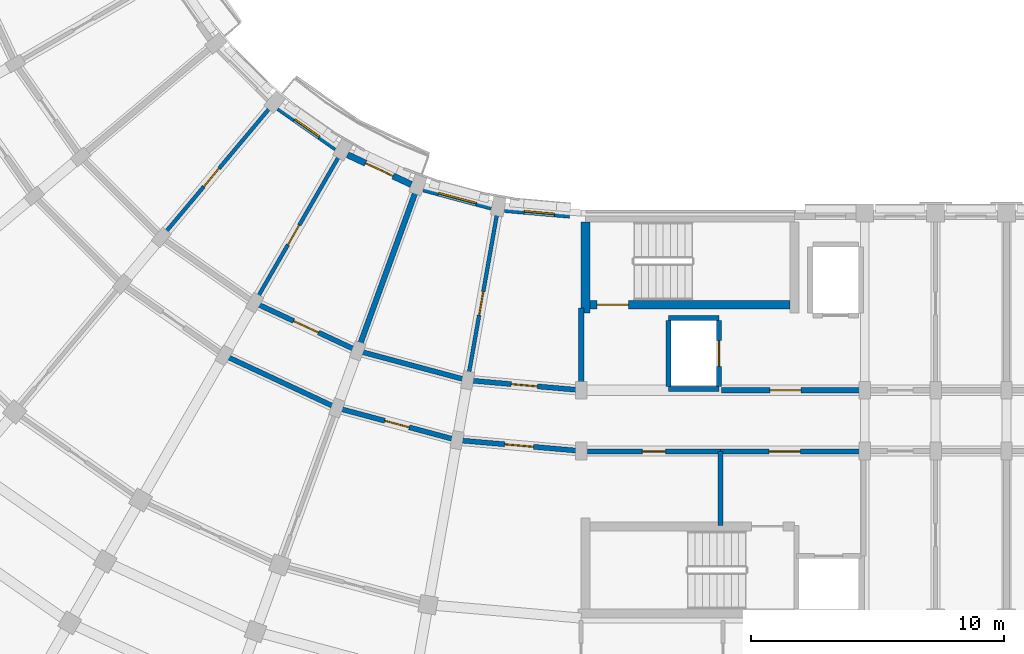
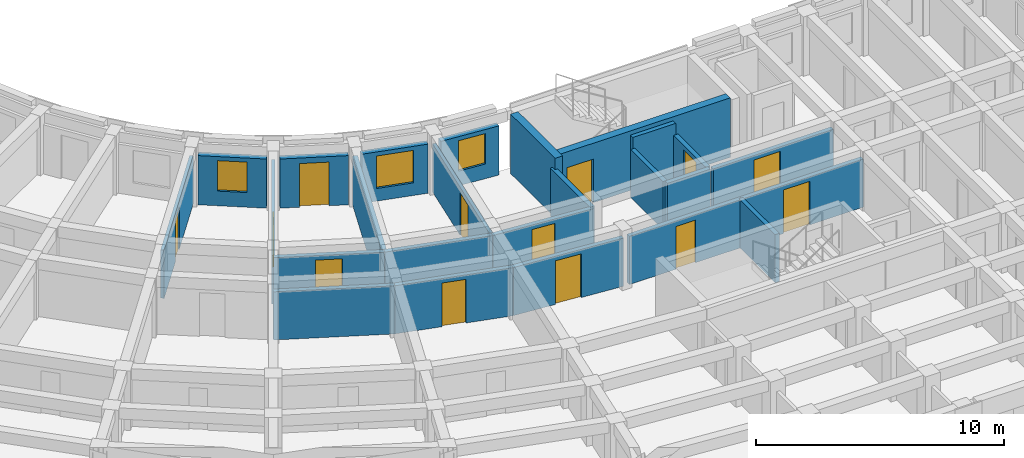
# One storey, part 17 of 57: 25 walls, 13 doors, 3 windows, 16 openings.
"""IFC4 building model written with IfcOpenShell, lengths in metres."""

from ifc_helpers import new_model, si_unit, direction, frame, frame_2d, origin, place, context, subcontext, project, spatial, rectangle, extrude, material, layer, layer_set, type_object, element, fill, save


model = new_model("IFC4")

# Units and contexts
model_context = context("Model", 3, precision=1e-05, world=origin(), true_north=direction((0.0, 1.0)))
body_context = subcontext(model_context, "Body", "Model", "MODEL_VIEW")
ifc_project = project(units=[si_unit("LENGTHUNIT", "METRE"), si_unit("AREAUNIT", "SQUARE_METRE"), si_unit("VOLUMEUNIT", "CUBIC_METRE"), si_unit("PLANEANGLEUNIT", "RADIAN"), si_unit("MASSUNIT", "GRAM", prefix="KILO")], contexts=[model_context])

# Site, building, storey
site_placement = place(None, origin())
site = spatial("IfcSite", under=ifc_project, at=site_placement, CompositionType="ELEMENT")
building_placement = place(site_placement, origin())
building = spatial("IfcBuilding", under=site, at=building_placement, Name="Kiranvali Square Residences", CompositionType="ELEMENT")
storey_placement = place(building_placement, frame((0.0, 0.0, 18.14990234375)))
storey = spatial("IfcBuildingStorey", under=building, at=storey_placement, Name="L05", CompositionType="ELEMENT", Elevation=18.14990234375)

# Wall, opening, door
ifc_material_1 = material(Name="Autoclaved aerated concrete blockwork masonry", Category="masonry")
ifc_layer_1 = layer(ifc_material_1, 0.199951171875)
ifc_layer_set_1 = layer_set([ifc_layer_1], Name="Autoclaved aerated concrete blockwork masonry")
wall_type_1 = type_object("IfcWallType", Name="WL-COR-200", PredefinedType="STANDARD", material=ifc_layer_set_1)
wall_1_placement = place(storey_placement, frame((53.75, 22.39990234375, 0.0), z_axis=(0.0, 0.0, 1.0), x_axis=(1.0, 0.0, 0.0)))
wall_1 = element("IfcWall", 1, at=wall_1_placement, inside=storey, type_object=wall_type_1, Name="L05 architectural wall WL-L05-C-LL-COR", PredefinedType="STANDARD", context=body_context, shape_type="SweptSolid", body=[
    extrude(rectangle(XDim=5.60009765625, YDim=0.199951171875, at=frame_2d((2.800048828125, 0.0))), origin(), (0.0, 0.0, 1.0), 2.3720703125),
])
opening_1_placement = place(wall_1_placement, frame((1.909912109375, 0.0, 0.0)))
opening_1 = element("IfcOpeningElement", 2, at=opening_1_placement, cuts=wall_1, Name="Opening FD-COR-60", PredefinedType="OPENING", context=body_context, shape_type="SweptSolid", body=[
    extrude(rectangle(XDim=1.219970703125, YDim=2.14990234375, at=frame_2d((0.60986328125, 1.074951171875))), frame((0.0, 0.10986328125, 0.0), z_axis=(0.0, -1.0, 0.0), x_axis=(1.0, 0.0, 0.0)), (0.0, 0.0, 1.0), 0.219970703125),
])
ifc_material_2 = material(Name="Fire-rated acoustic hardwood and mineral-core door assembly", Category="wood")
door_type_1 = type_object("IfcDoorType", Name="DR-FD60-1200", OperationType="NOTDEFINED", PredefinedType="DOOR", material=ifc_material_2)
door_1_placement = place(opening_1_placement, frame((1.219970703125, 0.0, 0.0), z_axis=(0.0, 0.0, 1.0), x_axis=(-1.0, 0.0, 0.0)))
door_1 = element("IfcDoor", 3, at=door_1_placement, inside=storey, type_object=door_type_1, Name="L05 door DR-L05-2028 (DR-FD60-1200)", OperationType="SINGLE_SWING_RIGHT", OverallHeight=2.14990234375, OverallWidth=1.219970703125, PredefinedType="DOOR", context=body_context, shape_type="SweptSolid", body=[
    extrude(rectangle(XDim=1.219970703125, YDim=2.14990234375, at=frame_2d((0.60986328125, 1.074951171875))), frame((0.0, 0.02490234375, 0.0), z_axis=(0.0, -1.0, 0.0), x_axis=(1.0, 0.0, 0.0)), (0.0, 0.0, 1.0), 0.050048828125),
])
fill(opening_1, door_1)

wall_2_placement = place(storey_placement, frame((48.199951171875, 22.39990234375, 0.0), z_axis=(0.0, 0.0, 1.0), x_axis=(-0.996191949488, 0.087187153726, 0.0)))
wall_2 = element("IfcWall", 4, at=wall_2_placement, inside=storey, type_object=wall_type_1, Name="L05 architectural wall WL-L05-C-CCI-0", PredefinedType="STANDARD", context=body_context, shape_type="SweptSolid", body=[
    extrude(rectangle(XDim=4.4970703125, YDim=0.199951171875, at=frame_2d((2.24853515625, 0.0))), origin(), (0.0, 0.0, 1.0), 2.3720703125),
])
opening_2_placement = place(wall_2_placement, frame((1.728515625, 0.0, 0.0)))
opening_2 = element("IfcOpeningElement", 5, at=opening_2_placement, cuts=wall_2, Name="Opening FD-APT-60B", PredefinedType="OPENING", context=body_context, shape_type="SweptSolid", body=[
    extrude(rectangle(XDim=1.0400390625, YDim=2.14990234375, at=frame_2d((0.52001953125, 1.074951171875))), frame((0.0, 0.10986328125, 0.0), z_axis=(0.0, -1.0, 0.0), x_axis=(1.0, 0.0, 0.0)), (0.0, 0.0, 1.0), 0.219970703125),
])
door_type_2 = type_object("IfcDoorType", Name="DR-APT-1040", OperationType="NOTDEFINED", PredefinedType="DOOR", material=ifc_material_2)
door_2_placement = place(opening_2_placement, frame((1.0400390625, 0.0, 0.0), z_axis=(0.0, 0.0, 1.0), x_axis=(-1.0, 0.0, 0.0)))
door_2 = element("IfcDoor", 6, at=door_2_placement, inside=storey, type_object=door_type_2, Name="L05 door DR-L05-2070 (DR-APT-1040)", OperationType="SINGLE_SWING_RIGHT", OverallHeight=2.14990234375, OverallWidth=1.0400390625, PredefinedType="DOOR", context=body_context, shape_type="SweptSolid", body=[
    extrude(rectangle(XDim=1.0400390625, YDim=2.14990234375, at=frame_2d((0.52001953125, 1.074951171875))), frame((0.0, 0.02490234375, 0.0), z_axis=(0.0, -1.0, 0.0), x_axis=(1.0, 0.0, 0.0)), (0.0, 0.0, 1.0), 0.050048828125),
])
fill(opening_2, door_2)

wall_3_placement = place(storey_placement, frame((48.199951171875, 20.0, 0.0), z_axis=(0.0, 0.0, 1.0), x_axis=(-0.996193663584, 0.087167566415, 0.0)))
wall_3 = element("IfcWall", 7, at=wall_3_placement, inside=storey, type_object=wall_type_1, Name="L05 architectural wall WL-L05-C-CCO-0", PredefinedType="STANDARD", context=body_context, shape_type="SweptSolid", body=[
    extrude(rectangle(XDim=4.91552734375, YDim=0.199951171875, at=frame_2d((2.457763671875, 0.0))), origin(), (0.0, 0.0, 1.0), 2.3720703125),
])
opening_3_placement = place(wall_3_placement, frame((1.8876953125, 0.0, 0.0)))
opening_3 = element("IfcOpeningElement", 8, at=opening_3_placement, cuts=wall_3, Name="Opening FD-APT-60D", PredefinedType="OPENING", context=body_context, shape_type="SweptSolid", body=[
    extrude(rectangle(XDim=1.139892578125, YDim=2.14990234375, at=frame_2d((0.56982421875, 1.074951171875))), frame((0.0, 0.10986328125, 0.0), z_axis=(0.0, -1.0, 0.0), x_axis=(1.0, 0.0, 0.0)), (0.0, 0.0, 1.0), 0.219970703125),
])
door_type_3 = type_object("IfcDoorType", Name="DR-APT-1140", OperationType="NOTDEFINED", PredefinedType="DOOR", material=ifc_material_2)
door_3_placement = place(opening_3_placement, origin())
door_3 = element("IfcDoor", 9, at=door_3_placement, inside=storey, type_object=door_type_3, Name="L05 door DR-L05-2057 (DR-APT-1140)", OperationType="SINGLE_SWING_LEFT", OverallHeight=2.14990234375, OverallWidth=1.139892578125, PredefinedType="DOOR", context=body_context, shape_type="SweptSolid", body=[
    extrude(rectangle(XDim=1.139892578125, YDim=2.14990234375, at=frame_2d((0.56982421875, 1.074951171875))), frame((0.0, 0.02490234375, 0.0), z_axis=(0.0, -1.0, 0.0), x_axis=(1.0, 0.0, 0.0)), (0.0, 0.0, 1.0), 0.050048828125),
])
fill(opening_3, door_3)

# Wall
wall_4_placement = place(storey_placement, frame((43.719970703125, 22.7919921875, 0.0), z_axis=(0.0, 0.0, 1.0), x_axis=(-0.965934240054, 0.258787642463, 0.0)))
element("IfcWall", 10, at=wall_4_placement, inside=storey, type_object=wall_type_1, Name="L05 architectural wall WL-L05-C-CCI-1", PredefinedType="STANDARD", context=body_context, shape_type="SweptSolid", body=[
    extrude(rectangle(XDim=4.497314453125, YDim=0.199951171875, at=frame_2d((2.24853515625, 0.0))), origin(), (0.0, 0.0, 1.0), 2.3720703125),
])

# Wall, opening, door
wall_5_placement = place(storey_placement, frame((43.30322265625, 20.428466796875, 0.0), z_axis=(0.0, 0.0, 1.0), x_axis=(-0.965930095386, 0.258803112091, 0.0)))
wall_5 = element("IfcWall", 11, at=wall_5_placement, inside=storey, type_object=wall_type_1, Name="L05 architectural wall WL-L05-C-CCO-1", PredefinedType="STANDARD", context=body_context, shape_type="SweptSolid", body=[
    extrude(rectangle(XDim=4.915771484375, YDim=0.199951171875, at=frame_2d((2.4580078125, 0.0))), origin(), (0.0, 0.0, 1.0), 2.3720703125),
])
opening_4_placement = place(wall_5_placement, frame((1.957763671875, 0.0, 0.0)))
opening_4 = element("IfcOpeningElement", 12, at=opening_4_placement, cuts=wall_5, Name="Opening FD-APT-60", PredefinedType="OPENING", context=body_context, shape_type="SweptSolid", body=[
    extrude(rectangle(XDim=1.0, YDim=2.14990234375, at=frame_2d((0.5, 1.074951171875))), frame((0.0, 0.10986328125, 0.0), z_axis=(0.0, -1.0, 0.0), x_axis=(1.0, 0.0, 0.0)), (0.0, 0.0, 1.0), 0.219970703125),
])
door_type_4 = type_object("IfcDoorType", Name="DR-APT-1000", OperationType="NOTDEFINED", PredefinedType="DOOR", material=ifc_material_2)
door_4_placement = place(opening_4_placement, frame((1.0, 0.0, 0.0), z_axis=(0.0, 0.0, 1.0), x_axis=(-1.0, 0.0, 0.0)))
door_4 = element("IfcDoor", 13, at=door_4_placement, inside=storey, type_object=door_type_4, Name="L05 door DR-L05-2058 (DR-APT-1000)", OperationType="SINGLE_SWING_RIGHT", OverallHeight=2.14990234375, OverallWidth=1.0, PredefinedType="DOOR", context=body_context, shape_type="SweptSolid", body=[
    extrude(rectangle(XDim=1.0, YDim=2.14990234375, at=frame_2d((0.5, 1.074951171875))), frame((0.0, 0.02490234375, 0.0), z_axis=(0.0, -1.0, 0.0), x_axis=(1.0, 0.0, 0.0)), (0.0, 0.0, 1.0), 0.050048828125),
])
fill(opening_4, door_4)

wall_6_placement = place(storey_placement, frame((39.3759765625, 23.955810546875, 0.0), z_axis=(0.0, 0.0, 1.0), x_axis=(-0.906307919131, 0.422617978463, 0.0)))
wall_6 = element("IfcWall", 14, at=wall_6_placement, inside=storey, type_object=wall_type_1, Name="L05 architectural wall WL-L05-C-CCI-2", PredefinedType="STANDARD", context=body_context, shape_type="SweptSolid", body=[
    extrude(rectangle(XDim=4.497314453125, YDim=0.199951171875, at=frame_2d((2.24853515625, 0.0))), origin(), (0.0, 0.0, 1.0), 2.3720703125),
])
opening_5_placement = place(wall_6_placement, frame((1.708740234375, 0.0, 0.0)))
opening_5 = element("IfcOpeningElement", 15, at=opening_5_placement, cuts=wall_6, Name="Opening FD-APT-60C", PredefinedType="OPENING", context=body_context, shape_type="SweptSolid", body=[
    extrude(rectangle(XDim=1.080078125, YDim=2.14990234375, at=frame_2d((0.5400390625, 1.074951171875))), frame((0.0, 0.10986328125, 0.0), z_axis=(0.0, -1.0, 0.0), x_axis=(1.0, 0.0, 0.0)), (0.0, 0.0, 1.0), 0.219970703125),
])
door_type_5 = type_object("IfcDoorType", Name="DR-APT-1080", OperationType="NOTDEFINED", PredefinedType="DOOR", material=ifc_material_2)
door_5_placement = place(opening_5_placement, origin())
door_5 = element("IfcDoor", 16, at=door_5_placement, inside=storey, type_object=door_type_5, Name="L05 door DR-L05-2071 (DR-APT-1080)", OperationType="SINGLE_SWING_LEFT", OverallHeight=2.14990234375, OverallWidth=1.080078125, PredefinedType="DOOR", context=body_context, shape_type="SweptSolid", body=[
    extrude(rectangle(XDim=1.080078125, YDim=2.14990234375, at=frame_2d((0.5400390625, 1.074951171875))), frame((0.0, 0.02490234375, 0.0), z_axis=(0.0, -1.0, 0.0), x_axis=(1.0, 0.0, 0.0)), (0.0, 0.0, 1.0), 0.050048828125),
])
fill(opening_5, door_5)

# Walls
wall_7_placement = place(storey_placement, frame((38.554931640625, 21.70068359375, 0.0), z_axis=(0.0, 0.0, 1.0), x_axis=(-0.906302381024, 0.422629854778, 0.0)))
element("IfcWall", 17, at=wall_7_placement, inside=storey, type_object=wall_type_1, Name="L05 architectural wall WL-L05-C-CCO-2", PredefinedType="STANDARD", context=body_context, shape_type="SweptSolid", body=[
    extrude(rectangle(XDim=4.915283203125, YDim=0.199951171875, at=frame_2d((2.45751953125, 0.0))), origin(), (0.0, 0.0, 1.0), 2.3720703125),
])
ifc_layer_2 = layer(ifc_material_1, 0.219970703125)
ifc_layer_set_2 = layer_set([ifc_layer_2], Name="Autoclaved aerated concrete blockwork masonry")
wall_type_2 = type_object("IfcWallType", Name="WL-DEM-220", PredefinedType="STANDARD", material=ifc_layer_set_2)
wall_8_placement = place(storey_placement, frame((48.199951171875, 25.64990234375, 0.0), z_axis=(0.0, 0.0, 1.0), x_axis=(0.0, -1.0, 0.0)))
element("IfcWall", 18, at=wall_8_placement, inside=storey, type_object=wall_type_2, Name="L05 architectural wall WL-L05-C-RADI-0", PredefinedType="STANDARD", context=body_context, shape_type="SweptSolid", body=[
    extrude(rectangle(XDim=3.199951171875, YDim=0.219970703125, at=frame_2d((1.60009765625, 0.0))), origin(), (0.0, 0.0, 1.0), 2.3720703125),
])
wall_9_placement = place(storey_placement, frame((41.70166015625, 30.345947265625, 0.0), z_axis=(0.0, 0.0, 1.0), x_axis=(-0.342010221662, -0.939696231917, 0.0)))
element("IfcWall", 19, at=wall_9_placement, inside=storey, type_object=wall_type_2, Name="L05 architectural wall WL-L05-C-RADI-2", PredefinedType="STANDARD", context=body_context, shape_type="SweptSolid", body=[
    extrude(rectangle(XDim=6.75, YDim=0.219970703125, at=frame_2d((3.375, 0.0))), origin(), (0.0, 0.0, 1.0), 2.3720703125),
])

# Wall, opening, window
ifc_material_3 = material(Name="Breathable lime-rendered clay brick masonry", Category="masonry")
ifc_layer_3 = layer(ifc_material_3, 0.25)
ifc_layer_set_3 = layer_set([ifc_layer_3], Name="Breathable lime-rendered clay brick masonry")
wall_type_3 = type_object("IfcWallType", Name="WL-EXT-250", PredefinedType="STANDARD", material=ifc_layer_set_3)
wall_10_placement = place(storey_placement, frame((47.750732421875, 29.313720703125, 0.0), z_axis=(0.0, 0.0, 1.0), x_axis=(-0.996188278786, 0.087229084652, 0.0)))
wall_10 = element("IfcWall", 20, at=wall_10_placement, inside=storey, type_object=wall_type_3, Name="L05 exterior wall C-L05-GDN-00", PredefinedType="STANDARD", context=body_context, shape_type="SweptSolid", body=[
    extrude(rectangle(XDim=2.583251953125, YDim=0.25, at=frame_2d((1.29150390625, 0.0))), origin(), (0.0, 0.0, 1.0), 2.422119140625),
])
opening_6_placement = place(wall_10_placement, frame((0.5986328125, 0.0, 0.721923828125)))
opening_6 = element("IfcOpeningElement", 21, at=opening_6_placement, cuts=wall_10, Name="Opening W-06", PredefinedType="OPENING", context=body_context, shape_type="SweptSolid", body=[
    extrude(rectangle(XDim=1.199951171875, YDim=1.5, at=frame_2d((0.60009765625, 0.75))), frame((0.0, 0.135009765625, 0.0), z_axis=(0.0, -1.0, 0.0), x_axis=(1.0, 0.0, 0.0)), (0.0, 0.0, 1.0), 0.27001953125),
])
ifc_material_4 = material(Name="Solar-control low-e double glazing", Category="glass")
window_type_1 = type_object("IfcWindowType", Name="WIN-RES-1200x1500", PartitioningType="SINGLE_PANEL", PredefinedType="WINDOW", material=ifc_material_4)
window_1_placement = place(opening_6_placement, origin())
window_1 = element("IfcWindow", 22, at=window_1_placement, inside=storey, type_object=window_type_1, Name="L05 recessed window C-L05-GDN-00", OverallHeight=1.5, OverallWidth=1.199951171875, PartitioningType="SINGLE_PANEL", PredefinedType="WINDOW", context=body_context, shape_type="SweptSolid", body=[
    extrude(rectangle(XDim=1.199951171875, YDim=1.5, at=frame_2d((0.60009765625, 0.75))), frame((0.0, 0.030029296875, 0.0), z_axis=(0.0, -1.0, 0.0), x_axis=(1.0, 0.0, 0.0)), (0.0, 0.0, 1.0), 0.06005859375),
])
fill(opening_6, window_1)

wall_11_placement = place(storey_placement, frame((44.658203125, 29.630615234375, 0.0), z_axis=(0.0, 0.0, 1.0), x_axis=(-0.965935855992, 0.25878161084, 0.0)))
wall_11 = element("IfcWall", 23, at=wall_11_placement, inside=storey, type_object=wall_type_3, Name="L05 exterior wall C-L05-GDN-01", PredefinedType="STANDARD", context=body_context, shape_type="SweptSolid", body=[
    extrude(rectangle(XDim=2.769775390625, YDim=0.25, at=frame_2d((1.384765625, 0.0))), origin(), (0.0, 0.0, 1.0), 2.422119140625),
])
opening_7_placement = place(wall_11_placement, frame((0.60986328125, 0.0, 0.6220703125)))
opening_7 = element("IfcOpeningElement", 24, at=opening_7_placement, cuts=wall_11, Name="Opening W-18", PredefinedType="OPENING", context=body_context, shape_type="SweptSolid", body=[
    extrude(rectangle(XDim=1.550048828125, YDim=1.60009765625, at=frame_2d((0.77490234375, 0.800048828125))), frame((0.0, 0.135009765625, 0.0), z_axis=(0.0, -1.0, 0.0), x_axis=(1.0, 0.0, 0.0)), (0.0, 0.0, 1.0), 0.27001953125),
])
window_type_2 = type_object("IfcWindowType", Name="WIN-GDN-1550x1600", PartitioningType="DOUBLE_PANEL_VERTICAL", PredefinedType="WINDOW", material=ifc_material_4)
window_2_placement = place(opening_7_placement, origin())
window_2 = element("IfcWindow", 25, at=window_2_placement, inside=storey, type_object=window_type_2, Name="L05 recessed window C-L05-GDN-01", OverallHeight=1.60009765625, OverallWidth=1.550048828125, PartitioningType="DOUBLE_PANEL_VERTICAL", PredefinedType="WINDOW", context=body_context, shape_type="SweptSolid", body=[
    extrude(rectangle(XDim=1.550048828125, YDim=1.60009765625, at=frame_2d((0.77490234375, 0.800048828125))), frame((0.0, 0.030029296875, 0.0), z_axis=(0.0, -1.0, 0.0), x_axis=(1.0, 0.0, 0.0)), (0.0, 0.0, 1.0), 0.06005859375),
])
fill(opening_7, window_2)

# Wall, opening, door
wall_12_placement = place(storey_placement, frame((41.4873046875, 30.527587890625, 0.0), z_axis=(0.0, 0.0, 1.0), x_axis=(-0.906293449611, 0.422649007088, 0.0)))
wall_12 = element("IfcWall", 26, at=wall_12_placement, inside=storey, type_object=wall_type_3, Name="L05 exterior wall C-L05-GDN-02", PredefinedType="STANDARD", context=body_context, shape_type="SweptSolid", body=[
    extrude(rectangle(XDim=2.769775390625, YDim=0.25, at=frame_2d((1.384765625, 0.0))), origin(), (0.0, 0.0, 1.0), 2.422119140625),
])
opening_8_placement = place(wall_12_placement, frame((0.784912109375, 0.0, 0.0)))
opening_8 = element("IfcOpeningElement", 27, at=opening_8_placement, cuts=wall_12, Name="Opening ED-BAL-1", PredefinedType="OPENING", context=body_context, shape_type="SweptSolid", body=[
    extrude(rectangle(XDim=1.199951171875, YDim=2.14990234375, at=frame_2d((0.60009765625, 1.074951171875))), frame((0.0, 0.135009765625, 0.0), z_axis=(0.0, -1.0, 0.0), x_axis=(1.0, 0.0, 0.0)), (0.0, 0.0, 1.0), 0.27001953125),
])
ifc_material_5 = material(Name="Anodised bronze aluminium framing", Category="aluminium")
door_type_6 = type_object("IfcDoorType", Name="DR-BAL-1200", OperationType="NOTDEFINED", PredefinedType="DOOR", material=ifc_material_5)
door_6_placement = place(opening_8_placement, frame((1.199951171875, 0.0, 0.0), z_axis=(0.0, 0.0, 1.0), x_axis=(-1.0, 0.0, 0.0)))
door_6 = element("IfcDoor", 28, at=door_6_placement, inside=storey, type_object=door_type_6, Name="L05 balcony terrace door", OperationType="SINGLE_SWING_RIGHT", OverallHeight=2.14990234375, OverallWidth=1.199951171875, PredefinedType="DOOR", context=body_context, shape_type="SweptSolid", body=[
    extrude(rectangle(XDim=1.199951171875, YDim=2.14990234375, at=frame_2d((0.60009765625, 1.074951171875))), frame((0.0, 0.02490234375, 0.0), z_axis=(0.0, -1.0, 0.0), x_axis=(1.0, 0.0, 0.0)), (0.0, 0.0, 1.0), 0.050048828125),
])
fill(opening_8, door_6)

# Wall, opening, window
wall_13_placement = place(storey_placement, frame((38.5205078125, 31.961669921875, 0.0), z_axis=(0.0, 0.0, 1.0), x_axis=(-0.819111815273, 0.573633885053, 0.0)))
wall_13 = element("IfcWall", 29, at=wall_13_placement, inside=storey, type_object=wall_type_3, Name="L05 exterior wall C-L05-GDN-03", PredefinedType="STANDARD", context=body_context, shape_type="SweptSolid", body=[
    extrude(rectangle(XDim=2.769775390625, YDim=0.25, at=frame_2d((1.384765625, 0.0))), origin(), (0.0, 0.0, 1.0), 2.422119140625),
])
opening_9_placement = place(wall_13_placement, frame((0.784912109375, 0.0, 0.721923828125)))
opening_9 = element("IfcOpeningElement", 30, at=opening_9_placement, cuts=wall_13, Name="Opening W-06", PredefinedType="OPENING", context=body_context, shape_type="SweptSolid", body=[
    extrude(rectangle(XDim=1.199951171875, YDim=1.5, at=frame_2d((0.60009765625, 0.75))), frame((0.0, 0.135009765625, 0.0), z_axis=(0.0, -1.0, 0.0), x_axis=(1.0, 0.0, 0.0)), (0.0, 0.0, 1.0), 0.27001953125),
])
window_3_placement = place(opening_9_placement, origin())
window_3 = element("IfcWindow", 31, at=window_3_placement, inside=storey, type_object=window_type_1, Name="L05 recessed window C-L05-GDN-03", OverallHeight=1.5, OverallWidth=1.199951171875, PartitioningType="SINGLE_PANEL", PredefinedType="WINDOW", context=body_context, shape_type="SweptSolid", body=[
    extrude(rectangle(XDim=1.199951171875, YDim=1.5, at=frame_2d((0.60009765625, 0.75))), frame((0.0, 0.030029296875, 0.0), z_axis=(0.0, -1.0, 0.0), x_axis=(1.0, 0.0, 0.0)), (0.0, 0.0, 1.0), 0.06005859375),
])
fill(opening_9, window_3)

# Wall, opening, door
ifc_layer_4 = layer(ifc_material_1, 0.199951171875)
ifc_layer_set_4 = layer_set([ifc_layer_4], Name="Autoclaved aerated concrete blockwork masonry")
wall_type_4 = type_object("IfcWallType", Name="WL-FFL-200", PredefinedType="STANDARD", material=ifc_layer_set_4)
wall_14_placement = place(storey_placement, frame((53.699951171875, 19.97998046875, 0.0), z_axis=(0.0, 0.0, 1.0), x_axis=(1.0, 0.0, 0.0)))
wall_14 = element("IfcWall", 32, at=wall_14_placement, inside=storey, type_object=wall_type_4, Name="L05 architectural wall WL-L05-C-FF-COR", PredefinedType="STANDARD", context=body_context, shape_type="SweptSolid", body=[
    extrude(rectangle(XDim=5.650146484375, YDim=0.199951171875, at=frame_2d((2.8251953125, 0.0))), origin(), (0.0, 0.0, 1.0), 2.3720703125),
])
opening_10_placement = place(wall_14_placement, frame((1.922607421875, 0.0, 0.0)))
opening_10 = element("IfcOpeningElement", 33, at=opening_10_placement, cuts=wall_14, Name="Opening FD-ST-120", PredefinedType="OPENING", context=body_context, shape_type="SweptSolid", body=[
    extrude(rectangle(XDim=1.239990234375, YDim=2.14990234375, at=frame_2d((0.6201171875, 1.074951171875))), frame((0.0, 0.10986328125, 0.0), z_axis=(0.0, -1.0, 0.0), x_axis=(1.0, 0.0, 0.0)), (0.0, 0.0, 1.0), 0.219970703125),
])
door_type_7 = type_object("IfcDoorType", Name="DR-FD120-1200", OperationType="NOTDEFINED", PredefinedType="DOOR", material=ifc_material_2)
door_7_placement = place(opening_10_placement, frame((1.239990234375, 0.0, 0.0), z_axis=(0.0, 0.0, 1.0), x_axis=(-1.0, 0.0, 0.0)))
door_7 = element("IfcDoor", 34, at=door_7_placement, inside=storey, type_object=door_type_7, Name="L05 door DR-L05-2020 (DR-FD120-1200)", OperationType="SINGLE_SWING_RIGHT", OverallHeight=2.14990234375, OverallWidth=1.239990234375, PredefinedType="DOOR", context=body_context, shape_type="SweptSolid", body=[
    extrude(rectangle(XDim=1.239990234375, YDim=2.14990234375, at=frame_2d((0.6201171875, 1.074951171875))), frame((0.0, 0.02490234375, 0.0), z_axis=(0.0, -1.0, 0.0), x_axis=(1.0, 0.0, 0.0)), (0.0, 0.0, 1.0), 0.050048828125),
])
fill(opening_10, door_7)

# Wall
wall_15_placement = place(storey_placement, frame((53.699951171875, 19.97998046875, 0.0), z_axis=(0.0, 0.0, 1.0), x_axis=(0.0, -1.0, 0.0)))
element("IfcWall", 35, at=wall_15_placement, inside=storey, type_object=wall_type_4, Name="L05 architectural wall WL-L05-C-FF-DIV", PredefinedType="STANDARD", context=body_context, shape_type="SweptSolid", body=[
    extrude(rectangle(XDim=2.929931640625, YDim=0.199951171875, at=frame_2d((1.46484375, 0.0))), origin(), (0.0, 0.0, 1.0), 2.3720703125),
])

# Wall, opening, door
ifc_material_6 = material(Name="Acoustic gypsum board drylined partition", Category="gypsum")
ifc_layer_5 = layer(ifc_material_6, 0.14990234375)
ifc_layer_set_5 = layer_set([ifc_layer_5], Name="Acoustic gypsum board drylined partition")
wall_type_5 = type_object("IfcWallType", Name="WL-PRT-150", PredefinedType="PARTITIONING", material=ifc_layer_set_5)
wall_16_placement = place(storey_placement, frame((44.900634765625, 29.48876953125, 0.0), z_axis=(0.0, 0.0, 1.0), x_axis=(-0.173647089161, -0.984807944945, 0.0)))
wall_16 = element("IfcWall", 36, at=wall_16_placement, inside=storey, type_object=wall_type_5, Name="L05 architectural wall WL-L05-C-RADI-1", PredefinedType="PARTITIONING", context=body_context, shape_type="SweptSolid", body=[
    extrude(rectangle(XDim=6.75, YDim=0.14990234375, at=frame_2d((3.375, 0.0))), origin(), (0.0, 0.0, 1.0), 2.3720703125),
])
opening_11_placement = place(wall_16_placement, frame((3.242431640625, 0.0, 0.0)))
opening_11 = element("IfcOpeningElement", 37, at=opening_11_placement, cuts=wall_16, Name="Opening ID-2", PredefinedType="OPENING", context=body_context, shape_type="SweptSolid", body=[
    extrude(rectangle(XDim=0.93994140625, YDim=2.10009765625, at=frame_2d((0.469970703125, 1.050048828125))), frame((0.0, 0.0849609375, 0.0), z_axis=(0.0, -1.0, 0.0), x_axis=(1.0, 0.0, 0.0)), (0.0, 0.0, 1.0), 0.169921875),
])
ifc_material_7 = material(Name="Solid seasoned teak hardwood joinery", Category="wood")
door_type_8 = type_object("IfcDoorType", Name="DR-INT-940", OperationType="NOTDEFINED", PredefinedType="DOOR", material=ifc_material_7)
door_8_placement = place(opening_11_placement, frame((0.93994140625, 0.0, 0.0), z_axis=(0.0, 0.0, 1.0), x_axis=(-1.0, 0.0, 0.0)))
door_8 = element("IfcDoor", 38, at=door_8_placement, inside=storey, type_object=door_type_8, Name="L05 door DR-L05-2048 (DR-INT-940)", OperationType="SINGLE_SWING_RIGHT", OverallHeight=2.10009765625, OverallWidth=0.93994140625, PredefinedType="DOOR", context=body_context, shape_type="SweptSolid", body=[
    extrude(rectangle(XDim=0.93994140625, YDim=2.10009765625, at=frame_2d((0.469970703125, 1.050048828125))), frame((0.0, 0.02490234375, 0.0), z_axis=(0.0, -1.0, 0.0), x_axis=(1.0, 0.0, 0.0)), (0.0, 0.0, 1.0), 0.050048828125),
])
fill(opening_11, door_8)

wall_17_placement = place(storey_placement, frame((38.699951171875, 31.74560546875, 0.0), z_axis=(0.0, 0.0, 1.0), x_axis=(-0.499997969693, -0.866026575979, 0.0)))
wall_17 = element("IfcWall", 39, at=wall_17_placement, inside=storey, type_object=wall_type_5, Name="L05 architectural wall WL-L05-C-RADI-3", PredefinedType="PARTITIONING", context=body_context, shape_type="SweptSolid", body=[
    extrude(rectangle(XDim=6.75, YDim=0.14990234375, at=frame_2d((3.375, 0.0))), origin(), (0.0, 0.0, 1.0), 2.3720703125),
])
opening_12_placement = place(wall_17_placement, frame((3.262451171875, 0.0, 0.0)))
opening_12 = element("IfcOpeningElement", 40, at=opening_12_placement, cuts=wall_17, Name="Opening ID-1", PredefinedType="OPENING", context=body_context, shape_type="SweptSolid", body=[
    extrude(rectangle(XDim=0.89990234375, YDim=2.10009765625, at=frame_2d((0.449951171875, 1.050048828125))), frame((0.0, 0.0849609375, 0.0), z_axis=(0.0, -1.0, 0.0), x_axis=(1.0, 0.0, 0.0)), (0.0, 0.0, 1.0), 0.169921875),
])
door_type_9 = type_object("IfcDoorType", Name="DR-INT-900", OperationType="NOTDEFINED", PredefinedType="DOOR", material=ifc_material_7)
door_9_placement = place(opening_12_placement, frame((0.89990234375, 0.0, 0.0), z_axis=(0.0, 0.0, 1.0), x_axis=(-1.0, 0.0, 0.0)))
door_9 = element("IfcDoor", 41, at=door_9_placement, inside=storey, type_object=door_type_9, Name="L05 door DR-L05-2050 (DR-INT-900)", OperationType="SINGLE_SWING_RIGHT", OverallHeight=2.10009765625, OverallWidth=0.89990234375, PredefinedType="DOOR", context=body_context, shape_type="SweptSolid", body=[
    extrude(rectangle(XDim=0.89990234375, YDim=2.10009765625, at=frame_2d((0.449951171875, 1.050048828125))), frame((0.0, 0.02490234375, 0.0), z_axis=(0.0, -1.0, 0.0), x_axis=(1.0, 0.0, 0.0)), (0.0, 0.0, 1.0), 0.050048828125),
])
fill(opening_12, door_9)

wall_18_placement = place(storey_placement, frame((35.987060546875, 33.645263671875, 0.0), z_axis=(0.0, 0.0, 1.0), x_axis=(-0.642784846501, -0.766046761698, 0.0)))
wall_18 = element("IfcWall", 42, at=wall_18_placement, inside=storey, type_object=wall_type_5, Name="L05 architectural wall WL-L05-C-RADI-4", PredefinedType="PARTITIONING", context=body_context, shape_type="SweptSolid", body=[
    extrude(rectangle(XDim=6.75, YDim=0.14990234375, at=frame_2d((3.375, 0.0))), origin(), (0.0, 0.0, 1.0), 2.3720703125),
])
opening_13_placement = place(wall_18_placement, frame((3.242431640625, 0.0, 0.0)))
opening_13 = element("IfcOpeningElement", 43, at=opening_13_placement, cuts=wall_18, Name="Opening ID-2", PredefinedType="OPENING", context=body_context, shape_type="SweptSolid", body=[
    extrude(rectangle(XDim=0.93994140625, YDim=2.10009765625, at=frame_2d((0.469970703125, 1.050048828125))), frame((0.0, 0.0849609375, 0.0), z_axis=(0.0, -1.0, 0.0), x_axis=(1.0, 0.0, 0.0)), (0.0, 0.0, 1.0), 0.169921875),
])
door_10_placement = place(opening_13_placement, origin())
door_10 = element("IfcDoor", 44, at=door_10_placement, inside=storey, type_object=door_type_8, Name="L05 door DR-L05-2051 (DR-INT-940)", OperationType="SINGLE_SWING_LEFT", OverallHeight=2.10009765625, OverallWidth=0.93994140625, PredefinedType="DOOR", context=body_context, shape_type="SweptSolid", body=[
    extrude(rectangle(XDim=0.93994140625, YDim=2.10009765625, at=frame_2d((0.469970703125, 1.050048828125))), frame((0.0, 0.02490234375, 0.0), z_axis=(0.0, -1.0, 0.0), x_axis=(1.0, 0.0, 0.0)), (0.0, 0.0, 1.0), 0.050048828125),
])
fill(opening_13, door_10)

ifc_layer_6 = layer(ifc_material_1, 0.199951171875)
ifc_layer_set_6 = layer_set([ifc_layer_6], Name="Autoclaved aerated concrete blockwork masonry")
wall_type_6 = type_object("IfcWallType", Name="WL-SHF-200", PredefinedType="STANDARD", material=ifc_layer_set_6)
wall_19_placement = place(storey_placement, frame((48.449951171875, 19.97998046875, 0.0), z_axis=(0.0, 0.0, 1.0), x_axis=(1.0, 0.0, 0.0)))
wall_19 = element("IfcWall", 45, at=wall_19_placement, inside=storey, type_object=wall_type_6, Name="L05 architectural wall WL-L05-C-RSR-COR", PredefinedType="STANDARD", context=body_context, shape_type="SweptSolid", body=[
    extrude(rectangle(XDim=5.25, YDim=0.199951171875, at=frame_2d((2.625, 0.0))), origin(), (0.0, 0.0, 1.0), 2.3720703125),
])
opening_14_placement = place(wall_19_placement, frame((2.1650390625, 0.0, 0.0)))
opening_14 = element("IfcOpeningElement", 46, at=opening_14_placement, cuts=wall_19, Name="Opening FD-SVC-120", PredefinedType="OPENING", context=body_context, shape_type="SweptSolid", body=[
    extrude(rectangle(XDim=0.919921875, YDim=2.10009765625, at=frame_2d((0.4599609375, 1.050048828125))), frame((0.0, 0.10986328125, 0.0), z_axis=(0.0, -1.0, 0.0), x_axis=(1.0, 0.0, 0.0)), (0.0, 0.0, 1.0), 0.219970703125),
])
door_type_10 = type_object("IfcDoorType", Name="DR-SVC-900", OperationType="NOTDEFINED", PredefinedType="DOOR", material=ifc_material_2)
door_11_placement = place(opening_14_placement, origin())
door_11 = element("IfcDoor", 47, at=door_11_placement, inside=storey, type_object=door_type_10, Name="L05 door DR-L05-2021 (DR-SVC-900)", OperationType="SINGLE_SWING_LEFT", OverallHeight=2.10009765625, OverallWidth=0.919921875, PredefinedType="DOOR", context=body_context, shape_type="SweptSolid", body=[
    extrude(rectangle(XDim=0.919921875, YDim=2.10009765625, at=frame_2d((0.4599609375, 1.050048828125))), frame((0.0, 0.02490234375, 0.0), z_axis=(0.0, -1.0, 0.0), x_axis=(1.0, 0.0, 0.0)), (0.0, 0.0, 1.0), 0.050048828125),
])
fill(opening_14, door_11)

# Walls
wall_20_placement = place(storey_placement, frame((51.64990234375, 25.25, 0.0), z_axis=(0.0, 0.0, 1.0), x_axis=(1.0, 0.0, 0.0)))
element("IfcWall", 48, at=wall_20_placement, inside=storey, type_object=wall_type_6, Name="L05 architectural wall WL-L05-C-LP2-S0", PredefinedType="STANDARD", context=body_context, shape_type="SweptSolid", body=[
    extrude(rectangle(XDim=2.0, YDim=0.199951171875, at=frame_2d((1.0, 0.0))), origin(), (0.0, 0.0, 1.0), 2.93017578125),
])
wall_21_placement = place(storey_placement, frame((51.64990234375, 22.449951171875, 0.0), z_axis=(0.0, 0.0, 1.0), x_axis=(1.0, 0.0, 0.0)))
element("IfcWall", 49, at=wall_21_placement, inside=storey, type_object=wall_type_6, Name="L05 architectural wall WL-L05-C-LP2-B", PredefinedType="STANDARD", context=body_context, shape_type="SweptSolid", body=[
    extrude(rectangle(XDim=2.0, YDim=0.199951171875, at=frame_2d((1.0, 0.0))), origin(), (0.0, 0.0, 1.0), 2.3720703125),
])
wall_22_placement = place(storey_placement, frame((51.64990234375, 25.14990234375, 0.0), z_axis=(0.0, 0.0, 1.0), x_axis=(0.0, -1.0, 0.0)))
element("IfcWall", 50, at=wall_22_placement, inside=storey, type_object=wall_type_6, Name="L05 architectural wall WL-L05-C-LP2-S1", PredefinedType="STANDARD", context=body_context, shape_type="SweptSolid", body=[
    extrude(rectangle(XDim=2.599853515625, YDim=0.199951171875, at=frame_2d((1.2998046875, 0.0))), origin(), (0.0, 0.0, 1.0), 2.3720703125),
])

# Wall, opening, door
wall_23_placement = place(storey_placement, frame((53.64990234375, 25.14990234375, 0.0), z_axis=(0.0, 0.0, 1.0), x_axis=(0.0, -1.0, 0.0)))
wall_23 = element("IfcWall", 51, at=wall_23_placement, inside=storey, type_object=wall_type_6, Name="L05 architectural wall WL-L05-C-LP2-F", PredefinedType="STANDARD", context=body_context, shape_type="SweptSolid", body=[
    extrude(rectangle(XDim=2.599853515625, YDim=0.199951171875, at=frame_2d((1.2998046875, 0.0))), origin(), (0.0, 0.0, 1.0), 2.3720703125),
])
opening_15_placement = place(wall_23_placement, frame((0.7900390625, 0.0, 0.0)))
opening_15 = element("IfcOpeningElement", 52, at=opening_15_placement, cuts=wall_23, Name="Opening LD-PAX-100", PredefinedType="OPENING", context=body_context, shape_type="SweptSolid", body=[
    extrude(rectangle(XDim=1.02001953125, YDim=2.14990234375, at=frame_2d((0.510009765625, 1.074951171875))), frame((0.0, 0.10986328125, 0.0), z_axis=(0.0, -1.0, 0.0), x_axis=(1.0, 0.0, 0.0)), (0.0, 0.0, 1.0), 0.219970703125),
])
door_type_11 = type_object("IfcDoorType", Name="DR-LIFT-1000", OperationType="SLIDING_TO_RIGHT", PredefinedType="DOOR", material=ifc_material_2)
door_12_placement = place(opening_15_placement, origin())
door_12 = element("IfcDoor", 53, at=door_12_placement, inside=storey, type_object=door_type_11, Name="L05 door DR-L05-2027 (DR-LIFT-1000)", OperationType="SLIDING_TO_RIGHT", OverallHeight=2.14990234375, OverallWidth=1.02001953125, PredefinedType="DOOR", context=body_context, shape_type="SweptSolid", body=[
    extrude(rectangle(XDim=1.02001953125, YDim=2.14990234375, at=frame_2d((0.510009765625, 1.074951171875))), frame((0.0, 0.02490234375, 0.0), z_axis=(0.0, -1.0, 0.0), x_axis=(1.0, 0.0, 0.0)), (0.0, 0.0, 1.0), 0.050048828125),
])
fill(opening_15, door_12)

ifc_material_8 = material(Name="Concrete M50 (50 MPa)", Category="concrete")
ifc_layer_7 = layer(ifc_material_8, 0.35009765625)
ifc_layer_set_7 = layer_set([ifc_layer_7], Name="Concrete M50 (50 MPa)")
wall_type_7 = type_object("IfcWallType", Name="WL-SHR-350", PredefinedType="SHEAR", material=ifc_layer_set_7)
wall_24_placement = place(storey_placement, frame((48.550048828125, 25.77490234375, 0.0), z_axis=(0.0, 0.0, 1.0), x_axis=(1.0, 0.0, 0.0)))
wall_24 = element("IfcWall", 54, at=wall_24_placement, inside=storey, type_object=wall_type_7, Name="Block C core shear wall SW-C2-IN-L05", PredefinedType="SHEAR", context=body_context, shape_type="SweptSolid", body=[
    extrude(rectangle(XDim=7.89990234375, YDim=0.35009765625, at=frame_2d((3.949951171875, 0.0))), origin(), (0.0, 0.0, 1.0), 2.93017578125),
])
opening_16_placement = place(wall_24_placement, frame((0.280029296875, 0.0, 0.0)))
opening_16 = element("IfcOpeningElement", 55, at=opening_16_placement, cuts=wall_24, Name="Opening FD-ST-120", PredefinedType="OPENING", context=body_context, shape_type="SweptSolid", body=[
    extrude(rectangle(XDim=1.239990234375, YDim=2.14990234375, at=frame_2d((0.6201171875, 1.074951171875))), frame((0.0, 0.18505859375, 0.0), z_axis=(0.0, -1.0, 0.0), x_axis=(1.0, 0.0, 0.0)), (0.0, 0.0, 1.0), 0.3701171875),
])
door_13_placement = place(opening_16_placement, origin())
door_13 = element("IfcDoor", 56, at=door_13_placement, inside=storey, type_object=door_type_7, Name="L05 door DR-L05-2024 (DR-FD120-1200)", OperationType="SINGLE_SWING_RIGHT", OverallHeight=2.14990234375, OverallWidth=1.239990234375, PredefinedType="DOOR", context=body_context, shape_type="SweptSolid", body=[
    extrude(rectangle(XDim=1.239990234375, YDim=2.14990234375, at=frame_2d((0.6201171875, 1.074951171875))), frame((0.0, 0.02490234375, 0.0), z_axis=(0.0, -1.0, 0.0), x_axis=(1.0, 0.0, 0.0)), (0.0, 0.0, 1.0), 0.050048828125),
])
fill(opening_16, door_13)

# Wall
wall_25_placement = place(storey_placement, frame((48.375, 29.050048828125, 0.0), z_axis=(0.0, 0.0, 1.0), x_axis=(0.0, -1.0, 0.0)))
element("IfcWall", 57, at=wall_25_placement, inside=storey, type_object=wall_type_7, Name="Block C core shear wall SW-C2-NEAR-L05", PredefinedType="SHEAR", context=body_context, shape_type="SweptSolid", body=[
    extrude(rectangle(XDim=3.60009765625, YDim=0.35009765625, at=frame_2d((1.800048828125, 0.0))), origin(), (0.0, 0.0, 1.0), 2.93017578125),
])

save(model, "model.ifc")
